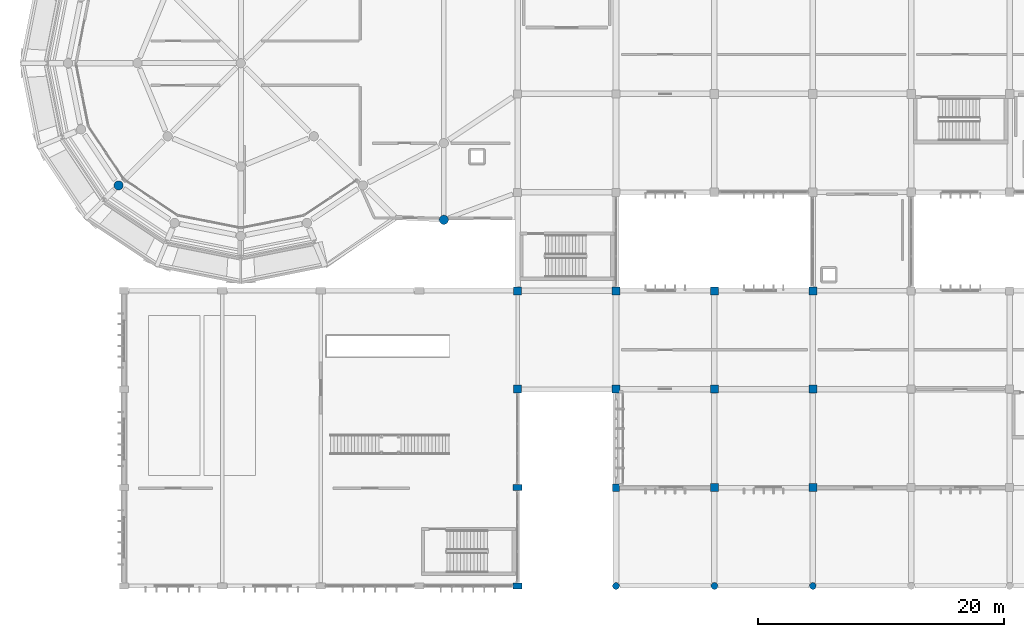
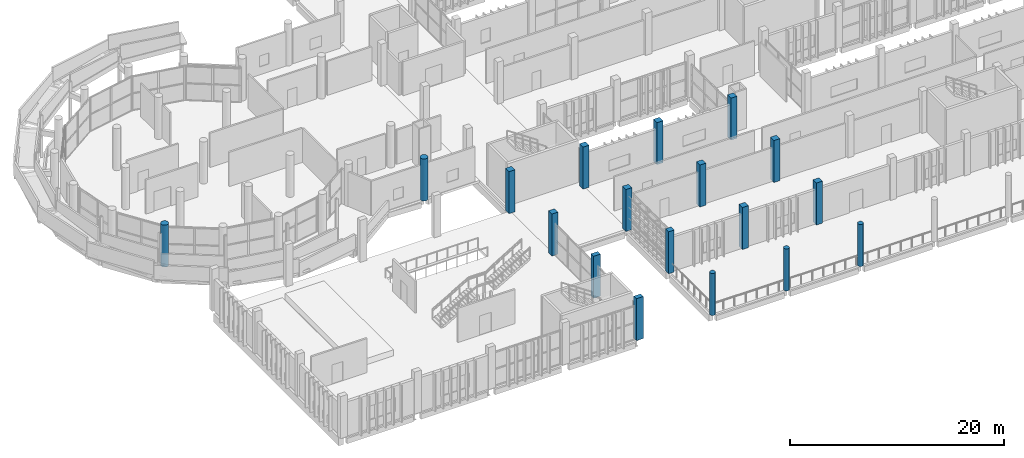
# One storey, part 3 of 106: 18 columns.
"""IFC4 building model written with IfcOpenShell, lengths in metres."""

from ifc_helpers import new_model, si_unit, direction, frame, origin, origin_2d, place, context, subcontext, project, spatial, rectangle, circle, extrude, material, material_profile, profile_set, type_object, element, save


model = new_model("IFC4")

# Units and contexts
model_context = context("Model", 3, precision=1e-05, world=origin(), true_north=direction((0.0, 1.0)))
body_context = subcontext(model_context, "Body", "Model", "MODEL_VIEW")
ifc_project = project(units=[si_unit("LENGTHUNIT", "METRE"), si_unit("AREAUNIT", "SQUARE_METRE"), si_unit("VOLUMEUNIT", "CUBIC_METRE"), si_unit("PLANEANGLEUNIT", "RADIAN"), si_unit("MASSUNIT", "GRAM", prefix="KILO")], contexts=[model_context])

# Site, building, storey
site_placement = place(None, origin())
site = spatial("IfcSite", under=ifc_project, at=site_placement, CompositionType="ELEMENT")
building_placement = place(site_placement, origin())
building = spatial("IfcBuilding", under=site, at=building_placement, Name="Jelvoka-Kovrelna Polytechnic", CompositionType="ELEMENT")
storey_placement = place(building_placement, frame((0.0, 0.0, 4.800048828125)))
storey = spatial("IfcBuildingStorey", under=building, at=storey_placement, Name="L02", CompositionType="ELEMENT", Elevation=4.800048828125)

# Columns
ifc_material_1 = material(Name="Concrete C40/50", Category="concrete")
ifc_material_profile_1 = material_profile(ifc_material_1, circle(Radius=0.27490234375, at=origin_2d()), Name="RC D550")
ifc_profile_set_1 = profile_set([ifc_material_profile_1], Name="Concrete C40/50")
column_type_1 = type_object("IfcColumnType", Name="Col_Pilotis_D550", PredefinedType="PILASTER", material=ifc_profile_set_1)
for number, where, z_axis, x_axis, name in (
    (1, (56.0, 0.0, 0.0), (0.0, 0.0, 1.0), (1.0, 0.0, 0.0), "L02 column 0023"),
    (2, (64.0, 0.0, 0.0), (0.0, 0.0, 1.0), (1.0, 0.0, 0.0), "L02 column 0026"),
    (3, (72.0, 0.0, 0.0), (0.0, 0.0, 1.0), (1.0, 0.0, 0.0), "L02 column 0029"),
):
    element("IfcColumn", number, at=place(storey_placement, frame(where, z_axis=z_axis, x_axis=x_axis)), inside=storey, type_object=column_type_1, Name=name, PredefinedType="PILASTER", context=body_context, shape_type="SweptSolid", body=[
        extrude(circle(Radius=0.27490234375, at=origin_2d()), origin(), (0.0, 0.0, 1.0), 4.800048828125),
    ])
ifc_material_2 = material(Name="Concrete C40/50", Category="concrete")
ifc_material_profile_2 = material_profile(ifc_material_2, rectangle(XDim=0.5, YDim=0.75, at=origin_2d()), Name="RC 500x750")
ifc_profile_set_2 = profile_set([ifc_material_profile_2], Name="Concrete C40/50")
column_type_2 = type_object("IfcColumnType", Name="Col_RC_500x750", PredefinedType="COLUMN", material=ifc_profile_set_2)
for number, where, z_axis, x_axis, name in (
    (4, (48.0, 0.0, 0.0), (0.0, 0.0, 1.0), (0.0, 1.0, 0.0), "L02 column 0019"),
    (5, (48.0, 8.0, 0.0), (0.0, 0.0, 1.0), (0.0, 1.0, 0.0), "L02 column 0090"),
):
    element("IfcColumn", number, at=place(storey_placement, frame(where, z_axis=z_axis, x_axis=x_axis)), inside=storey, type_object=column_type_2, Name=name, PredefinedType="COLUMN", context=body_context, shape_type="SweptSolid", body=[
        extrude(rectangle(XDim=0.5, YDim=0.75, at=origin_2d()), origin(), (0.0, 0.0, 1.0), 4.800048828125),
    ])
ifc_material_3 = material(Name="Concrete C40/50", Category="concrete")
ifc_material_profile_3 = material_profile(ifc_material_3, rectangle(XDim=0.60009765625, YDim=0.60009765625, at=origin_2d()), Name="RC 600x600")
ifc_profile_set_3 = profile_set([ifc_material_profile_3], Name="Concrete C40/50")
column_type_3 = type_object("IfcColumnType", Name="Col_RC_600", PredefinedType="COLUMN", material=ifc_profile_set_3)
column_placement = place(storey_placement, frame((56.0, 8.0, 0.0), z_axis=(0.0, 0.0, 1.0), x_axis=(1.0, 0.0, 0.0)))
element("IfcColumn", 6, at=column_placement, inside=storey, type_object=column_type_3, Name="L02 column 0094", PredefinedType="COLUMN", context=body_context, shape_type="SweptSolid", body=[
    extrude(rectangle(XDim=0.60009765625, YDim=0.60009765625, at=origin_2d()), origin(), (0.0, 0.0, 1.0), 4.800048828125),
])
ifc_material_4 = material(Name="Concrete C40/50", Category="concrete")
ifc_material_profile_4 = material_profile(ifc_material_4, rectangle(XDim=0.64990234375, YDim=0.64990234375, at=origin_2d()), Name="RC 650x650")
ifc_profile_set_4 = profile_set([ifc_material_profile_4], Name="Concrete C40/50")
column_type_4 = type_object("IfcColumnType", Name="Col_RC_650", PredefinedType="COLUMN", material=ifc_profile_set_4)
for number, where, z_axis, x_axis, name in (
    (7, (64.0, 8.0, 0.0), (0.0, 0.0, 1.0), (1.0, 0.0, 0.0), "L02 column 0099"),
    (8, (72.0, 8.0, 0.0), (0.0, 0.0, 1.0), (1.0, 0.0, 0.0), "L02 column 0105"),
    (9, (48.0, 16.0, 0.0), (0.0, 0.0, 1.0), (1.0, 0.0, 0.0), "L02 column 0188"),
    (10, (56.0, 16.0, 0.0), (0.0, 0.0, 1.0), (1.0, 0.0, 0.0), "L02 column 0194"),
    (11, (64.0, 16.0, 0.0), (0.0, 0.0, 1.0), (1.0, 0.0, 0.0), "L02 column 0200"),
    (12, (72.0, 16.0, 0.0), (0.0, 0.0, 1.0), (1.0, 0.0, 0.0), "L02 column 0206"),
    (13, (48.0, 24.0, 0.0), (0.0, 0.0, 1.0), (1.0, 0.0, 0.0), "L02 column 0313"),
    (14, (56.0, 24.0, 0.0), (0.0, 0.0, 1.0), (1.0, 0.0, 0.0), "L02 column 0319"),
    (15, (64.0, 24.0, 0.0), (0.0, 0.0, 1.0), (1.0, 0.0, 0.0), "L02 column 0325"),
    (16, (72.0, 24.0, 0.0), (0.0, 0.0, 1.0), (1.0, 0.0, 0.0), "L02 column 0331"),
):
    element("IfcColumn", number, at=place(storey_placement, frame(where, z_axis=z_axis, x_axis=x_axis)), inside=storey, type_object=column_type_4, Name=name, PredefinedType="COLUMN", context=body_context, shape_type="SweptSolid", body=[
        extrude(rectangle(XDim=0.64990234375, YDim=0.64990234375, at=origin_2d()), origin(), (0.0, 0.0, 1.0), 4.800048828125),
    ])
ifc_material_5 = material(Name="Concrete C40/50", Category="concrete")
ifc_material_profile_5 = material_profile(ifc_material_5, circle(Radius=0.375, at=origin_2d()), Name="RC D750")
ifc_profile_set_5 = profile_set([ifc_material_profile_5], Name="Concrete C40/50")
column_type_5 = type_object("IfcColumnType", Name="Col_RC_D750", PredefinedType="COLUMN", material=ifc_profile_set_5)
for number, where, z_axis, x_axis, name in (
    (17, (42.0, 29.772216796875, 0.0), (0.0, 0.0, 1.0), (1.0, 0.0, 0.0), "L02 column 0428"),
    (18, (15.565185546875, 32.565185546875, 0.0), (0.0, 0.0, 1.0), (1.0, 0.0, 0.0), "L02 column 0574"),
):
    element("IfcColumn", number, at=place(storey_placement, frame(where, z_axis=z_axis, x_axis=x_axis)), inside=storey, type_object=column_type_5, Name=name, PredefinedType="COLUMN", context=body_context, shape_type="SweptSolid", body=[
        extrude(circle(Radius=0.375, at=origin_2d()), origin(), (0.0, 0.0, 1.0), 4.800048828125),
    ])

save(model, "model.ifc")
